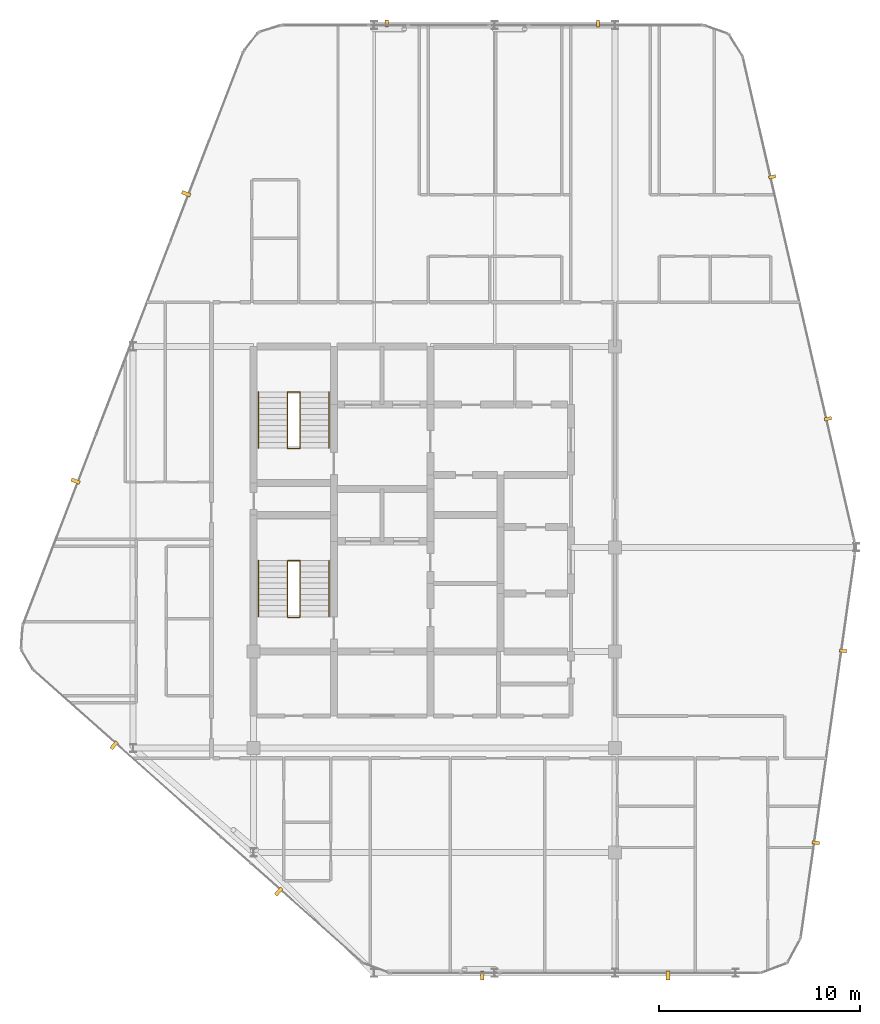
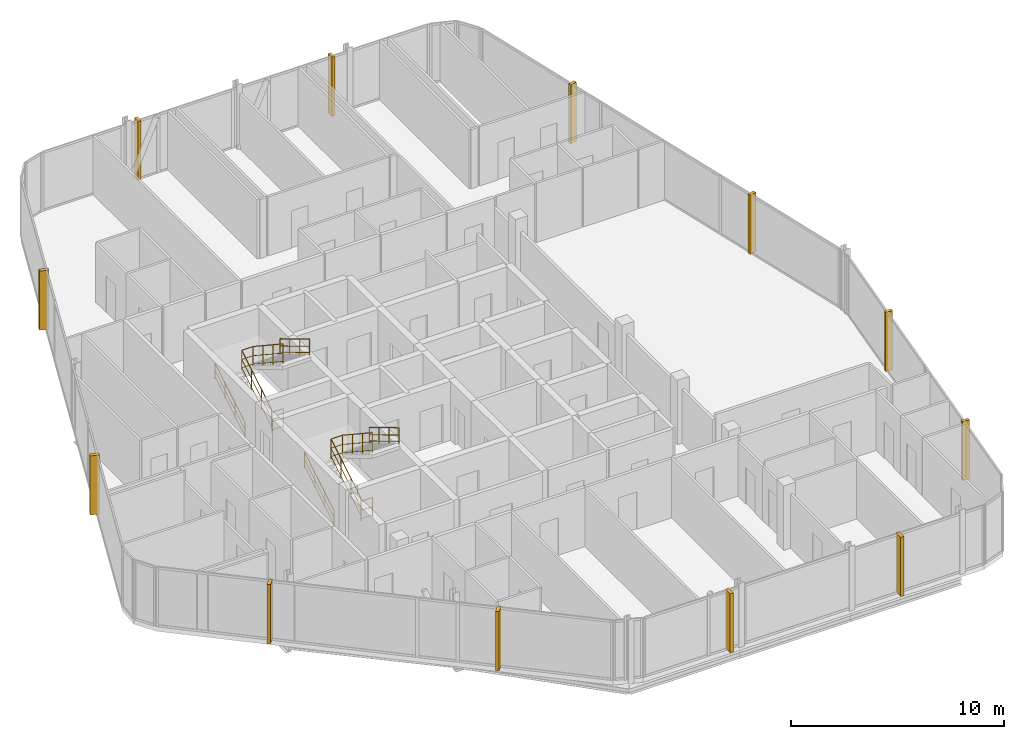
# One storey, part 27 of 27: 12 coverings, 8 railings.
"""IFC4 building model written with IfcOpenShell, lengths in metres."""

from ifc_helpers import new_model, si_unit, direction, frame, origin, origin_2d, place, context, subcontext, project, spatial, rectangle, circle, extrude, material, layer, layer_set, type_object, element, save


model = new_model("IFC4")

# Units and contexts
model_context = context("Model", 3, precision=1e-05, world=origin(), true_north=direction((0.0, 1.0)))
body_context = subcontext(model_context, "Body", "Model", "MODEL_VIEW")
ifc_project = project(units=[si_unit("LENGTHUNIT", "METRE"), si_unit("AREAUNIT", "SQUARE_METRE"), si_unit("VOLUMEUNIT", "CUBIC_METRE"), si_unit("PLANEANGLEUNIT", "RADIAN"), si_unit("MASSUNIT", "GRAM", prefix="KILO")], contexts=[model_context])

# Site, building, storey
site_placement = place(None, origin())
site = spatial("IfcSite", under=ifc_project, at=site_placement, CompositionType="ELEMENT")
building_placement = place(site_placement, origin())
building = spatial("IfcBuilding", under=site, at=building_placement, Name="Keshet Zoharim Tower", CompositionType="ELEMENT")
storey_placement = place(building_placement, frame((0.0, 0.0, 288.0)))
storey = spatial("IfcBuildingStorey", under=building, at=storey_placement, Name="L72", CompositionType="ELEMENT", Elevation=288.0)

# Coverings
ifc_material_1 = material(Name="Concrete C50/60 precast", Category="concrete")
covering_type_1 = type_object("IfcCoveringType", Name="FIN-SOL-360", PredefinedType="CLADDING", material=ifc_material_1)
for number, where, z_axis, x_axis, name in (
    (1, (21.633056640625, 53.97998046875, 0.0), (0.0, 0.0, 1.0), (1.0, 0.0, 0.0), "L72 Vertical Precast Solar Fin 03"),
    (2, (32.14990234375, 53.97998046875, 0.0), (0.0, 0.0, 1.0), (1.0, 0.0, 0.0), "L72 Vertical Precast Solar Fin 04"),
    (3, (40.824951171875, 46.345947265625, 0.0), (0.0, 0.0, 1.0), (0.224829963294, -0.974398012932, 0.0), "L72 Vertical Precast Solar Fin 05"),
    (4, (43.60400390625, 34.302001953125, 0.0), (0.0, 0.0, 1.0), (0.224829963294, -0.974398012932, 0.0), "L72 Vertical Precast Solar Fin 06"),
    (5, (44.35107421875, 22.742919921875, 0.0), (0.0, 0.0, 1.0), (-0.140137464177, -0.990132057422, 0.0), "L72 Vertical Precast Solar Fin 07"),
    (6, (42.998046875, 13.18701171875, 0.0), (0.0, 0.0, 1.0), (-0.140137464177, -0.990132057422, 0.0), "L72 Vertical Precast Solar Fin 08"),
):
    element("IfcCovering", number, at=place(storey_placement, frame(where, z_axis=z_axis, x_axis=x_axis)), inside=storey, type_object=covering_type_1, Name=name, PredefinedType="CLADDING", context=body_context, shape_type="SweptSolid", body=[
        extrude(rectangle(XDim=0.159912109375, YDim=0.360107421875, at=origin_2d()), origin(), (0.0, 0.0, 1.0), 3.389892578125),
    ])
covering_type_2 = type_object("IfcCoveringType", Name="FIN-SOL-450", PredefinedType="CLADDING", material=ifc_material_1)
for number, where, z_axis, x_axis, name in (
    (7, (6.133056640625, 31.194091796875, 0.0), (0.0, 0.0, 1.0), (0.358990003907, 0.933341404361, 0.0), "L72 Vertical Precast Solar Fin 01"),
    (8, (11.637939453125, 45.507080078125, 0.0), (0.0, 0.0, 1.0), (0.358990003907, 0.933341404361, 0.0), "L72 Vertical Precast Solar Fin 02"),
    (9, (35.636962890625, 6.574951171875, 0.0), (0.0, 0.0, 1.0), (-1.0, 0.0, 0.0), "L72 Vertical Precast Solar Fin 09"),
    (10, (26.385986328125, 6.574951171875, 0.0), (0.0, 0.0, 1.0), (-1.0, 0.0, 0.0), "L72 Vertical Precast Solar Fin 10"),
    (11, (16.25, 10.7548828125, 0.0), (0.0, 0.0, 1.0), (-0.747411833563, 0.66436100958, 0.0), "L72 Vertical Precast Solar Fin 11"),
    (12, (8.051025390625, 18.04296875, 0.0), (0.0, 0.0, 1.0), (-0.747411833563, 0.66436100958, 0.0), "L72 Vertical Precast Solar Fin 12"),
):
    element("IfcCovering", number, at=place(storey_placement, frame(where, z_axis=z_axis, x_axis=x_axis)), inside=storey, type_object=covering_type_2, Name=name, PredefinedType="CLADDING", context=body_context, shape_type="SweptSolid", body=[
        extrude(rectangle(XDim=0.179931640625, YDim=0.449951171875, at=origin_2d()), origin(), (0.0, 0.0, 1.0), 3.389892578125),
    ])

# Railings
ifc_material_2 = material(Name="Steel S355", Category="steel")
ifc_layer_1 = layer(ifc_material_2, 0.050048828125)
ifc_layer_set_1 = layer_set([ifc_layer_1], Name="Steel S355")
railing_type_1 = type_object("IfcRailingType", Name="RL-HND-092", PredefinedType="HANDRAIL", material=ifc_layer_set_1)
railing_1_placement = place(storey_placement, frame((15.239990234375, 24.43994140625, 0.168212890625)))
element("IfcRailing", 13, at=railing_1_placement, inside=storey, type_object=railing_type_1, Name="L72 ST-01 Flight 1 Wall Handrail", PredefinedType="HANDRAIL", context=body_context, shape_type="SweptSolid", body=[
    extrude(circle(Radius=0.02392578125, at=origin_2d()), frame((0.0, 0.0, 0.89599609375), z_axis=(0.0, 0.857242210791, 0.514913383045), x_axis=(-1.0, 0.0, 0.0)), (0.0, 0.0, 1.0), 3.266357421875),
    extrude(circle(Radius=0.01611328125, at=origin_2d()), frame((0.0, 0.0, 0.478271484375), z_axis=(0.0, 0.857242210791, 0.514913383045), x_axis=(-1.0, 0.0, 0.0)), (0.0, 0.0, 1.0), 3.266357421875),
    extrude(circle(Radius=0.01611328125, at=origin_2d()), frame((0.0, 0.0, 0.1201171875), z_axis=(0.0, 0.857242210791, 0.514913383045), x_axis=(-1.0, 0.0, 0.0)), (0.0, 0.0, 1.0), 3.266357421875),
    extrude(circle(Radius=0.02099609375, at=origin_2d()), origin(), (0.0, 0.0, 1.0), 0.871826171875),
    extrude(circle(Radius=0.02099609375, at=origin_2d()), frame((0.0, 0.933349609375, 0.560546875)), (0.0, 0.0, 1.0), 0.871826171875),
    extrude(circle(Radius=0.02099609375, at=origin_2d()), frame((0.0, 1.86669921875, 1.121337890625)), (0.0, 0.0, 1.0), 0.871826171875),
    extrude(circle(Radius=0.02099609375, at=origin_2d()), frame((0.0, 2.800048828125, 1.681884765625)), (0.0, 0.0, 1.0), 0.871826171875),
])
railing_2_placement = place(storey_placement, frame((18.760009765625, 27.239990234375, 2.018310546875)))
element("IfcRailing", 14, at=railing_2_placement, inside=storey, type_object=railing_type_1, Name="L72 ST-01 Flight 2 Wall Handrail", PredefinedType="HANDRAIL", context=body_context, shape_type="SweptSolid", body=[
    extrude(circle(Radius=0.02392578125, at=origin_2d()), frame((0.0, 0.0, 0.89599609375), z_axis=(0.0, -0.857275202839, 0.514858452973), x_axis=(1.0, 0.0, 0.0)), (0.0, 0.0, 1.0), 3.26611328125),
    extrude(circle(Radius=0.01611328125, at=origin_2d()), frame((0.0, 0.0, 0.478271484375), z_axis=(0.0, -0.857275202839, 0.514858452973), x_axis=(1.0, 0.0, 0.0)), (0.0, 0.0, 1.0), 3.26611328125),
    extrude(circle(Radius=0.01611328125, at=origin_2d()), frame((0.0, 0.0, 0.1201171875), z_axis=(0.0, -0.857275202839, 0.514858452973), x_axis=(1.0, 0.0, 0.0)), (0.0, 0.0, 1.0), 3.26611328125),
    extrude(circle(Radius=0.02099609375, at=origin_2d()), origin(), (0.0, 0.0, 1.0), 0.871826171875),
    extrude(circle(Radius=0.02099609375, at=origin_2d()), frame((0.0, -0.933349609375, 0.560546875)), (0.0, 0.0, 1.0), 0.871826171875),
    extrude(circle(Radius=0.02099609375, at=origin_2d()), frame((0.0, -1.86669921875, 1.12109375)), (0.0, 0.0, 1.0), 0.871826171875),
    extrude(circle(Radius=0.02099609375, at=origin_2d()), frame((0.0, -2.800048828125, 1.681640625)), (0.0, 0.0, 1.0), 0.871826171875),
])
railing_3_placement = place(storey_placement, frame((15.239990234375, 32.840087890625, 0.168212890625)))
element("IfcRailing", 15, at=railing_3_placement, inside=storey, type_object=railing_type_1, Name="L72 ST-02 Flight 1 Wall Handrail", PredefinedType="HANDRAIL", context=body_context, shape_type="SweptSolid", body=[
    extrude(circle(Radius=0.02392578125, at=origin_2d()), frame((0.0, 0.0, 0.89599609375), z_axis=(0.0, 0.857222391501, 0.514946377315), x_axis=(-1.0, 0.0, 0.0)), (0.0, 0.0, 1.0), 3.26611328125),
    extrude(circle(Radius=0.01611328125, at=origin_2d()), frame((0.0, 0.0, 0.478271484375), z_axis=(0.0, 0.857222391501, 0.514946377315), x_axis=(-1.0, 0.0, 0.0)), (0.0, 0.0, 1.0), 3.26611328125),
    extrude(circle(Radius=0.01611328125, at=origin_2d()), frame((0.0, 0.0, 0.1201171875), z_axis=(0.0, 0.857222391501, 0.514946377315), x_axis=(-1.0, 0.0, 0.0)), (0.0, 0.0, 1.0), 3.26611328125),
    extrude(circle(Radius=0.02099609375, at=origin_2d()), origin(), (0.0, 0.0, 1.0), 0.871826171875),
    extrude(circle(Radius=0.02099609375, at=origin_2d()), frame((0.0, 0.933349609375, 0.560546875)), (0.0, 0.0, 1.0), 0.871826171875),
    extrude(circle(Radius=0.02099609375, at=origin_2d()), frame((0.0, 1.866455078125, 1.121337890625)), (0.0, 0.0, 1.0), 0.871826171875),
    extrude(circle(Radius=0.02099609375, at=origin_2d()), frame((0.0, 2.7998046875, 1.681884765625)), (0.0, 0.0, 1.0), 0.871826171875),
])
railing_4_placement = place(storey_placement, frame((18.760009765625, 35.639892578125, 2.018310546875)))
element("IfcRailing", 16, at=railing_4_placement, inside=storey, type_object=railing_type_1, Name="L72 ST-02 Flight 2 Wall Handrail", PredefinedType="HANDRAIL", context=body_context, shape_type="SweptSolid", body=[
    extrude(circle(Radius=0.02392578125, at=origin_2d()), frame((0.0, 0.0, 0.89599609375), z_axis=(0.0, -0.857255387014, 0.514891446264), x_axis=(1.0, 0.0, 0.0)), (0.0, 0.0, 1.0), 3.26611328125),
    extrude(circle(Radius=0.01611328125, at=origin_2d()), frame((0.0, 0.0, 0.478271484375), z_axis=(0.0, -0.857255387014, 0.514891446264), x_axis=(1.0, 0.0, 0.0)), (0.0, 0.0, 1.0), 3.26611328125),
    extrude(circle(Radius=0.01611328125, at=origin_2d()), frame((0.0, 0.0, 0.1201171875), z_axis=(0.0, -0.857255387014, 0.514891446264), x_axis=(1.0, 0.0, 0.0)), (0.0, 0.0, 1.0), 3.26611328125),
    extrude(circle(Radius=0.02099609375, at=origin_2d()), origin(), (0.0, 0.0, 1.0), 0.871826171875),
    extrude(circle(Radius=0.02099609375, at=origin_2d()), frame((0.0, -0.933349609375, 0.560546875)), (0.0, 0.0, 1.0), 0.871826171875),
    extrude(circle(Radius=0.02099609375, at=origin_2d()), frame((0.0, -1.866455078125, 1.12109375)), (0.0, 0.0, 1.0), 0.871826171875),
    extrude(circle(Radius=0.02099609375, at=origin_2d()), frame((0.0, -2.7998046875, 1.681640625)), (0.0, 0.0, 1.0), 0.871826171875),
])
ifc_layer_2 = layer(ifc_material_2, 0.06005859375)
ifc_layer_set_2 = layer_set([ifc_layer_2], Name="Steel S355")
railing_type_2 = type_object("IfcRailingType", Name="RL-STG-115", PredefinedType="GUARDRAIL", material=ifc_layer_set_2)
railing_5_placement = place(storey_placement, frame((16.68994140625, 24.43994140625, 0.168212890625)))
element("IfcRailing", 17, at=railing_5_placement, inside=storey, type_object=railing_type_2, Name="L72 ST-01 Inner Well Guardrail", PredefinedType="GUARDRAIL", context=body_context, shape_type="SweptSolid", body=[
    extrude(circle(Radius=0.02392578125, at=origin_2d()), frame((0.0, 0.0, 1.1259765625), z_axis=(0.0, 0.857242210791, 0.514913383045), x_axis=(-1.0, 0.0, 0.0)), (0.0, 0.0, 1.0), 3.266357421875),
    extrude(circle(Radius=0.01611328125, at=origin_2d()), frame((0.0, 0.0, 0.597900390625), z_axis=(0.0, 0.857242210791, 0.514913383045), x_axis=(-1.0, 0.0, 0.0)), (0.0, 0.0, 1.0), 3.266357421875),
    extrude(circle(Radius=0.01611328125, at=origin_2d()), frame((0.0, 0.0, 0.1201171875), z_axis=(0.0, 0.857242210791, 0.514913383045), x_axis=(-1.0, 0.0, 0.0)), (0.0, 0.0, 1.0), 3.266357421875),
    extrude(circle(Radius=0.02392578125, at=origin_2d()), frame((0.0, 2.800048828125, 2.8076171875), z_axis=(1.0, 0.0, 0.0), x_axis=(0.0, 1.0, 0.0)), (0.0, 0.0, 1.0), 0.6201171875),
    extrude(circle(Radius=0.01611328125, at=origin_2d()), frame((0.0, 2.800048828125, 2.27978515625), z_axis=(1.0, 0.0, 0.0), x_axis=(0.0, 1.0, 0.0)), (0.0, 0.0, 1.0), 0.6201171875),
    extrude(circle(Radius=0.01611328125, at=origin_2d()), frame((0.0, 2.800048828125, 1.802001953125), z_axis=(1.0, 0.0, 0.0), x_axis=(0.0, 1.0, 0.0)), (0.0, 0.0, 1.0), 0.6201171875),
    extrude(circle(Radius=0.02392578125, at=origin_2d()), frame((0.6201171875, 2.800048828125, 2.8076171875), z_axis=(0.0, -0.83435981716, 0.551220187865), x_axis=(1.0, 0.0, 0.0)), (0.0, 0.0, 1.0), 3.35595703125),
    extrude(circle(Radius=0.01611328125, at=origin_2d()), frame((0.6201171875, 2.800048828125, 2.27978515625), z_axis=(0.0, -0.83435981716, 0.551220187865), x_axis=(1.0, 0.0, 0.0)), (0.0, 0.0, 1.0), 3.35595703125),
    extrude(circle(Radius=0.01611328125, at=origin_2d()), frame((0.6201171875, 2.800048828125, 1.802001953125), z_axis=(0.0, -0.83435981716, 0.551220187865), x_axis=(1.0, 0.0, 0.0)), (0.0, 0.0, 1.0), 3.35595703125),
    extrude(circle(Radius=0.02099609375, at=origin_2d()), origin(), (0.0, 0.0, 1.0), 1.101806640625),
    extrude(circle(Radius=0.02099609375, at=origin_2d()), frame((0.0, 0.933349609375, 0.560546875)), (0.0, 0.0, 1.0), 1.101806640625),
    extrude(circle(Radius=0.02099609375, at=origin_2d()), frame((0.0, 1.86669921875, 1.121337890625)), (0.0, 0.0, 1.0), 1.101806640625),
    extrude(circle(Radius=0.02099609375, at=origin_2d()), frame((0.0, 2.800048828125, 1.681884765625)), (0.0, 0.0, 1.0), 1.101806640625),
    extrude(circle(Radius=0.02099609375, at=origin_2d()), frame((0.6201171875, 2.800048828125, 1.681884765625)), (0.0, 0.0, 1.0), 1.101806640625),
    extrude(circle(Radius=0.02099609375, at=origin_2d()), frame((0.6201171875, 1.86669921875, 2.298583984375)), (0.0, 0.0, 1.0), 1.101806640625),
    extrude(circle(Radius=0.02099609375, at=origin_2d()), frame((0.6201171875, 0.933349609375, 2.9150390625)), (0.0, 0.0, 1.0), 1.101806640625),
    extrude(circle(Radius=0.02099609375, at=origin_2d()), frame((0.6201171875, 0.0, 3.53173828125)), (0.0, 0.0, 1.0), 1.101806640625),
])
railing_6_placement = place(storey_placement, frame((16.68994140625, 24.409912109375, 0.0)))
element("IfcRailing", 18, at=railing_6_placement, inside=storey, type_object=railing_type_2, Name="L72 ST-01 Stairwell Floor Guardrail", PredefinedType="GUARDRAIL", context=body_context, shape_type="SweptSolid", body=[
    extrude(circle(Radius=0.02392578125, at=origin_2d()), frame((0.0, 0.0, 1.1259765625), z_axis=(1.0, 0.0, 0.0), x_axis=(0.0, 1.0, 0.0)), (0.0, 0.0, 1.0), 0.6201171875),
    extrude(circle(Radius=0.01611328125, at=origin_2d()), frame((0.0, 0.0, 0.597900390625), z_axis=(1.0, 0.0, 0.0), x_axis=(0.0, 1.0, 0.0)), (0.0, 0.0, 1.0), 0.6201171875),
    extrude(circle(Radius=0.01611328125, at=origin_2d()), frame((0.0, 0.0, 0.1201171875), z_axis=(1.0, 0.0, 0.0), x_axis=(0.0, 1.0, 0.0)), (0.0, 0.0, 1.0), 0.6201171875),
    extrude(circle(Radius=0.02099609375, at=origin_2d()), origin(), (0.0, 0.0, 1.0), 1.101806640625),
    extrude(circle(Radius=0.02099609375, at=origin_2d()), frame((0.6201171875, 0.0, 0.0)), (0.0, 0.0, 1.0), 1.101806640625),
])
railing_7_placement = place(storey_placement, frame((16.68994140625, 32.840087890625, 0.168212890625)))
element("IfcRailing", 19, at=railing_7_placement, inside=storey, type_object=railing_type_2, Name="L72 ST-02 Inner Well Guardrail", PredefinedType="GUARDRAIL", context=body_context, shape_type="SweptSolid", body=[
    extrude(circle(Radius=0.02392578125, at=origin_2d()), frame((0.0, 0.0, 1.1259765625), z_axis=(0.0, 0.857222391501, 0.514946377315), x_axis=(-1.0, 0.0, 0.0)), (0.0, 0.0, 1.0), 3.26611328125),
    extrude(circle(Radius=0.01611328125, at=origin_2d()), frame((0.0, 0.0, 0.597900390625), z_axis=(0.0, 0.857222391501, 0.514946377315), x_axis=(-1.0, 0.0, 0.0)), (0.0, 0.0, 1.0), 3.26611328125),
    extrude(circle(Radius=0.01611328125, at=origin_2d()), frame((0.0, 0.0, 0.1201171875), z_axis=(0.0, 0.857222391501, 0.514946377315), x_axis=(-1.0, 0.0, 0.0)), (0.0, 0.0, 1.0), 3.26611328125),
    extrude(circle(Radius=0.02392578125, at=origin_2d()), frame((0.0, 2.7998046875, 2.8076171875), z_axis=(1.0, 0.0, 0.0), x_axis=(0.0, 1.0, 0.0)), (0.0, 0.0, 1.0), 0.6201171875),
    extrude(circle(Radius=0.01611328125, at=origin_2d()), frame((0.0, 2.7998046875, 2.27978515625), z_axis=(1.0, 0.0, 0.0), x_axis=(0.0, 1.0, 0.0)), (0.0, 0.0, 1.0), 0.6201171875),
    extrude(circle(Radius=0.01611328125, at=origin_2d()), frame((0.0, 2.7998046875, 1.802001953125), z_axis=(1.0, 0.0, 0.0), x_axis=(0.0, 1.0, 0.0)), (0.0, 0.0, 1.0), 0.6201171875),
    extrude(circle(Radius=0.02392578125, at=origin_2d()), frame((0.6201171875, 2.7998046875, 2.8076171875), z_axis=(0.0, -0.834337710781, 0.551253647941), x_axis=(1.0, 0.0, 0.0)), (0.0, 0.0, 1.0), 3.355712890625),
    extrude(circle(Radius=0.01611328125, at=origin_2d()), frame((0.6201171875, 2.7998046875, 2.27978515625), z_axis=(0.0, -0.834337710781, 0.551253647941), x_axis=(1.0, 0.0, 0.0)), (0.0, 0.0, 1.0), 3.355712890625),
    extrude(circle(Radius=0.01611328125, at=origin_2d()), frame((0.6201171875, 2.7998046875, 1.802001953125), z_axis=(0.0, -0.834337710781, 0.551253647941), x_axis=(1.0, 0.0, 0.0)), (0.0, 0.0, 1.0), 3.355712890625),
    extrude(circle(Radius=0.02099609375, at=origin_2d()), origin(), (0.0, 0.0, 1.0), 1.101806640625),
    extrude(circle(Radius=0.02099609375, at=origin_2d()), frame((0.0, 0.933349609375, 0.560546875)), (0.0, 0.0, 1.0), 1.101806640625),
    extrude(circle(Radius=0.02099609375, at=origin_2d()), frame((0.0, 1.866455078125, 1.121337890625)), (0.0, 0.0, 1.0), 1.101806640625),
    extrude(circle(Radius=0.02099609375, at=origin_2d()), frame((0.0, 2.7998046875, 1.681884765625)), (0.0, 0.0, 1.0), 1.101806640625),
    extrude(circle(Radius=0.02099609375, at=origin_2d()), frame((0.6201171875, 2.7998046875, 1.681884765625)), (0.0, 0.0, 1.0), 1.101806640625),
    extrude(circle(Radius=0.02099609375, at=origin_2d()), frame((0.6201171875, 1.866455078125, 2.298583984375)), (0.0, 0.0, 1.0), 1.101806640625),
    extrude(circle(Radius=0.02099609375, at=origin_2d()), frame((0.6201171875, 0.933349609375, 2.9150390625)), (0.0, 0.0, 1.0), 1.101806640625),
    extrude(circle(Radius=0.02099609375, at=origin_2d()), frame((0.6201171875, 0.0, 3.53173828125)), (0.0, 0.0, 1.0), 1.101806640625),
])
railing_8_placement = place(storey_placement, frame((16.68994140625, 32.81005859375, 0.0)))
element("IfcRailing", 20, at=railing_8_placement, inside=storey, type_object=railing_type_2, Name="L72 ST-02 Stairwell Floor Guardrail", PredefinedType="GUARDRAIL", context=body_context, shape_type="SweptSolid", body=[
    extrude(circle(Radius=0.02392578125, at=origin_2d()), frame((0.0, 0.0, 1.1259765625), z_axis=(1.0, 0.0, 0.0), x_axis=(0.0, 1.0, 0.0)), (0.0, 0.0, 1.0), 0.6201171875),
    extrude(circle(Radius=0.01611328125, at=origin_2d()), frame((0.0, 0.0, 0.597900390625), z_axis=(1.0, 0.0, 0.0), x_axis=(0.0, 1.0, 0.0)), (0.0, 0.0, 1.0), 0.6201171875),
    extrude(circle(Radius=0.01611328125, at=origin_2d()), frame((0.0, 0.0, 0.1201171875), z_axis=(1.0, 0.0, 0.0), x_axis=(0.0, 1.0, 0.0)), (0.0, 0.0, 1.0), 0.6201171875),
    extrude(circle(Radius=0.02099609375, at=origin_2d()), origin(), (0.0, 0.0, 1.0), 1.101806640625),
    extrude(circle(Radius=0.02099609375, at=origin_2d()), frame((0.6201171875, 0.0, 0.0)), (0.0, 0.0, 1.0), 1.101806640625),
])

save(model, "model.ifc")
